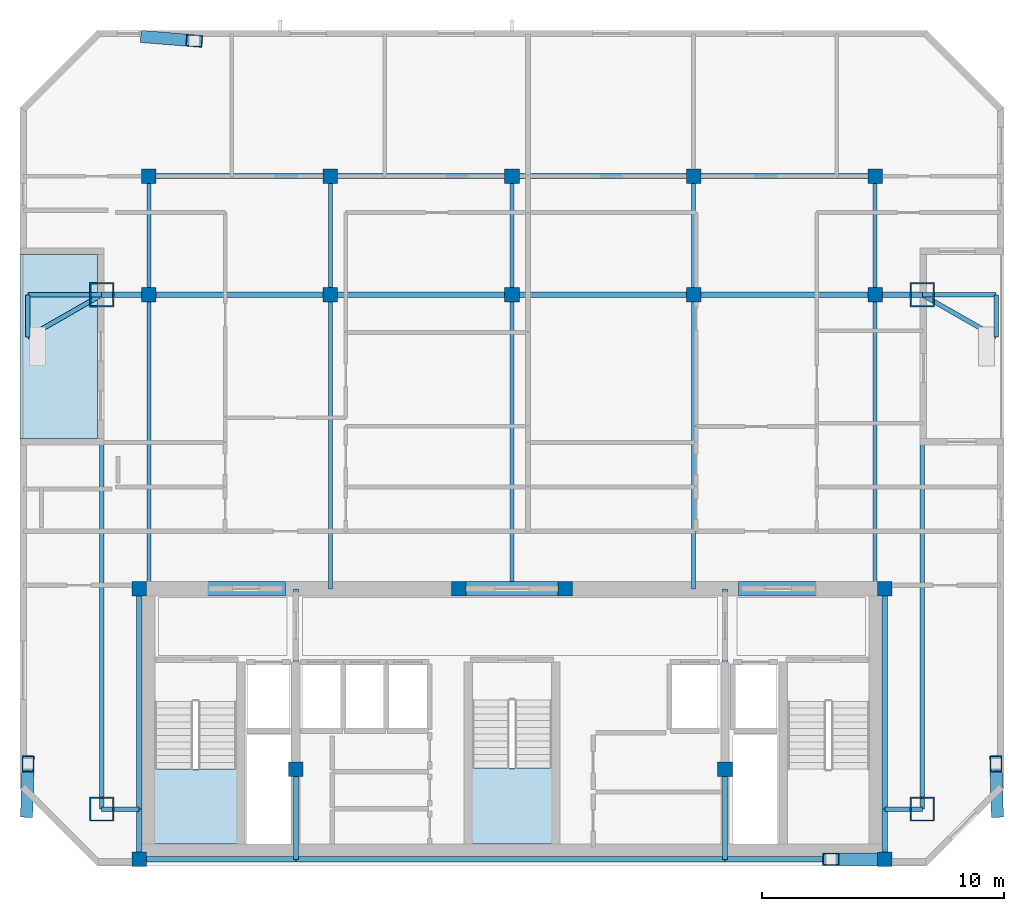
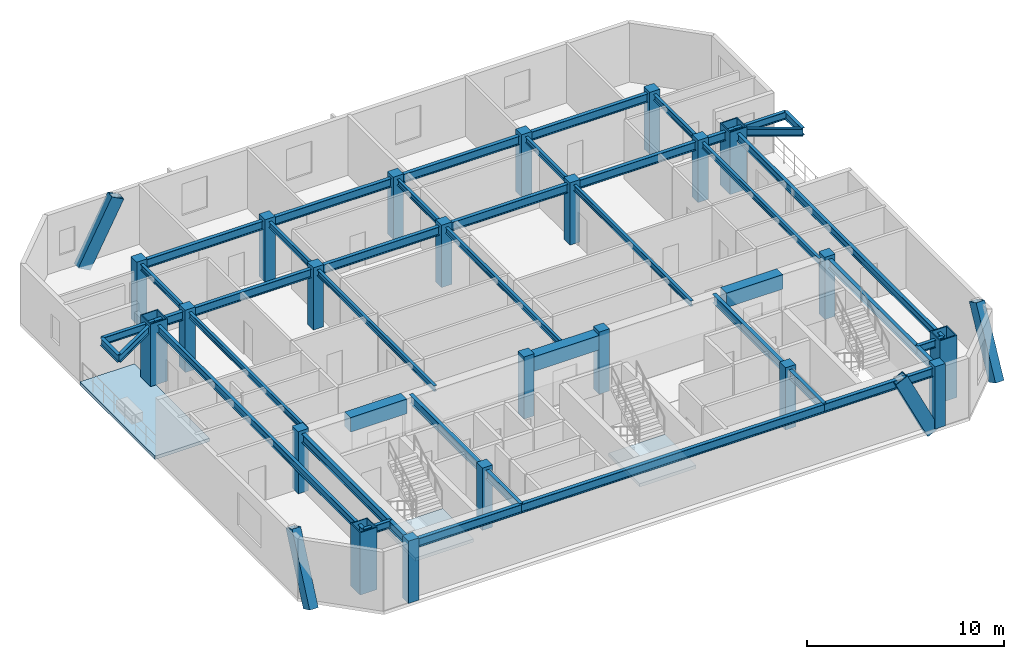
# One storey, part 1 of 8: 44 beams, 22 columns, 4 members, 3 slabs, 2 elements without a shape of their own.
"""IFC4 building model written with IfcOpenShell, lengths in metres."""

from ifc_helpers import new_model, si_unit, direction, frame, origin, origin_2d, place, context, subcontext, project, spatial, polyline, rectangle, hollow_rectangle, i_section, outline, extrude, material, layer, layer_set, material_profile, profile_set, type_object, element, aggregate, save


model = new_model("IFC4")

# Units and contexts
model_context = context("Model", 3, precision=1e-05, world=origin(), true_north=direction((0.0, 1.0)))
body_context = subcontext(model_context, "Body", "Model", "MODEL_VIEW")
ifc_project = project(units=[si_unit("LENGTHUNIT", "METRE"), si_unit("AREAUNIT", "SQUARE_METRE"), si_unit("VOLUMEUNIT", "CUBIC_METRE"), si_unit("PLANEANGLEUNIT", "RADIAN"), si_unit("MASSUNIT", "GRAM", prefix="KILO")], contexts=[model_context])

# Site, building, storey
site_placement = place(None, origin())
site = spatial("IfcSite", under=ifc_project, at=site_placement, CompositionType="ELEMENT")
building_placement = place(site_placement, origin())
building = spatial("IfcBuilding", under=site, at=building_placement, Name="Ventersveld Concourse Tower", CompositionType="ELEMENT")
storey_placement = place(building_placement, frame((0.0, 0.0, 284.89990234375)))
storey = spatial("IfcBuildingStorey", under=building, at=storey_placement, Name="L70", CompositionType="ELEMENT", Elevation=284.89990234375)

# Columns
ifc_material_1 = material(Name="Concrete C50/60", Category="concrete")
ifc_material_profile_1 = material_profile(ifc_material_1, rectangle(XDim=0.60009765625, YDim=0.60009765625, at=origin_2d()), Name="RC 600x600")
ifc_profile_set_1 = profile_set([ifc_material_profile_1], Name="Concrete C50/60")
column_type_1 = type_object("IfcColumnType", Name="COL-RC600", PredefinedType="COLUMN", material=ifc_profile_set_1)
for number, where, z_axis, x_axis, name in (
    (1, (13.35009765625, 0.280029296875, 0.0), (0.0, 0.0, 1.0), (1.0, 0.0, 0.0), "L70 Core Spine Column CC-SW"),
    (2, (44.14990234375, 0.280029296875, 0.0), (0.0, 0.0, 1.0), (1.0, 0.0, 0.0), "L70 Core Spine Column CC-SE"),
    (3, (13.35009765625, 11.449951171875, 0.0), (0.0, 0.0, 1.0), (1.0, 0.0, 0.0), "L70 Core Spine Column CC-NW"),
    (4, (44.14990234375, 11.449951171875, 0.0), (0.0, 0.0, 1.0), (1.0, 0.0, 0.0), "L70 Core Spine Column CC-NE"),
    (5, (19.820068359375, 4.0, 0.0), (0.0, 0.0, 1.0), (1.0, 0.0, 0.0), "L70 Core Spine Column CM-1"),
    (6, (37.550048828125, 4.0, 0.0), (0.0, 0.0, 1.0), (1.0, 0.0, 0.0), "L70 Core Spine Column CM-2"),
    (7, (26.550048828125, 11.449951171875, 0.0), (0.0, 0.0, 1.0), (1.0, 0.0, 0.0), "L70 Core Spine Column CM-3"),
    (8, (30.949951171875, 11.449951171875, 0.0), (0.0, 0.0, 1.0), (1.0, 0.0, 0.0), "L70 Core Spine Column CM-4"),
    (9, (13.75, 23.60009765625, 0.0), (0.0, 0.0, 1.0), (1.0, 0.0, 0.0), "L70 Interior Gravity Column X=13.75 Y=23.60"),
    (10, (21.25, 23.60009765625, 0.0), (0.0, 0.0, 1.0), (1.0, 0.0, 0.0), "L70 Interior Gravity Column X=21.25 Y=23.60"),
    (11, (28.75, 23.60009765625, 0.0), (0.0, 0.0, 1.0), (1.0, 0.0, 0.0), "L70 Interior Gravity Column X=28.75 Y=23.60"),
    (12, (36.25, 23.60009765625, 0.0), (0.0, 0.0, 1.0), (1.0, 0.0, 0.0), "L70 Interior Gravity Column X=36.25 Y=23.60"),
    (13, (43.75, 23.60009765625, 0.0), (0.0, 0.0, 1.0), (1.0, 0.0, 0.0), "L70 Interior Gravity Column X=43.75 Y=23.60"),
    (14, (13.75, 28.5, 0.0), (0.0, 0.0, 1.0), (1.0, 0.0, 0.0), "L70 Upper-North Gravity Column X=13.75 Y=28.50"),
    (15, (21.25, 28.5, 0.0), (0.0, 0.0, 1.0), (1.0, 0.0, 0.0), "L70 Upper-North Gravity Column X=21.25 Y=28.50"),
    (16, (28.75, 28.5, 0.0), (0.0, 0.0, 1.0), (1.0, 0.0, 0.0), "L70 Upper-North Gravity Column X=28.75 Y=28.50"),
    (17, (36.25, 28.5, 0.0), (0.0, 0.0, 1.0), (1.0, 0.0, 0.0), "L70 Upper-North Gravity Column X=36.25 Y=28.50"),
    (18, (43.75, 28.5, 0.0), (0.0, 0.0, 1.0), (1.0, 0.0, 0.0), "L70 Upper-North Gravity Column X=43.75 Y=28.50"),
):
    element("IfcColumn", number, at=place(storey_placement, frame(where, z_axis=z_axis, x_axis=x_axis)), inside=storey, type_object=column_type_1, Name=name, PredefinedType="COLUMN", context=body_context, shape_type="SweptSolid", body=[
        extrude(rectangle(XDim=0.60009765625, YDim=0.60009765625, at=origin_2d()), origin(), (0.0, 0.0, 1.0), 3.85009765625),
    ])
ifc_material_2 = material(Name="Structural steel S460ML", Category="steel")
ifc_material_profile_2 = material_profile(ifc_material_2, hollow_rectangle(XDim=1.0, YDim=1.0, WallThickness=0.06005859375, at=origin_2d()), Name="BOX 1000x1000x60")
ifc_profile_set_2 = profile_set([ifc_material_profile_2], Name="Structural steel S460ML")
column_type_2 = type_object("IfcColumnType", Name="MC-1000", PredefinedType="USERDEFINED", material=ifc_profile_set_2)
for number, where, z_axis, x_axis, name in (
    (19, (11.800048828125, 2.35009765625, 0.0), (0.0, 0.0, 1.0), (1.0, 0.0, 0.0), "L70 Corner Mega-Column MC-SW"),
    (20, (45.699951171875, 2.35009765625, 0.0), (0.0, 0.0, 1.0), (1.0, 0.0, 0.0), "L70 Corner Mega-Column MC-SE"),
    (21, (45.699951171875, 23.60009765625, 0.0), (0.0, 0.0, 1.0), (1.0, 0.0, 0.0), "L70 Corner Mega-Column MC-NE"),
    (22, (11.800048828125, 23.60009765625, 0.0), (0.0, 0.0, 1.0), (1.0, 0.0, 0.0), "L70 Corner Mega-Column MC-NW"),
):
    element("IfcColumn", number, at=place(storey_placement, frame(where, z_axis=z_axis, x_axis=x_axis)), inside=storey, type_object=column_type_2, Name=name, ObjectType="MEGA_COLUMN", PredefinedType="USERDEFINED", context=body_context, shape_type="SweptSolid", body=[
        extrude(hollow_rectangle(XDim=1.0, YDim=1.0, WallThickness=0.06005859375, at=origin_2d()), origin(), (0.0, 0.0, 1.0), 3.85009765625),
    ])

# Beams
ifc_material_3 = material(Name="Structural steel S355J2", Category="steel")
ifc_material_profile_3 = material_profile(ifc_material_3, i_section(OverallWidth=0.17138671875, OverallDepth=0.35498046875, WebThickness=0.00732421875, FlangeThickness=0.011474609375, FilletRadius=0.01025390625, at=origin_2d()), Name="UB 356x171x51")
ifc_profile_set_3 = profile_set([ifc_material_profile_3], Name="Structural steel S355J2")
beam_type_1 = type_object("IfcBeamType", Name="BM-UB356", PredefinedType="BEAM", material=ifc_profile_set_3)
beam_1_placement = place(storey_placement, frame((13.75, 11.449951171875, 3.47265625), z_axis=(0.0, 1.0, 0.0), x_axis=(-1.0, 0.0, 0.0)))
element("IfcBeam", 23, at=beam_1_placement, inside=storey, type_object=beam_type_1, Name="L70 N-S Composite Floor Beam South X=13.75", PredefinedType="BEAM", context=body_context, shape_type="SweptSolid", body=[
    extrude(i_section(OverallWidth=0.17138671875, OverallDepth=0.35498046875, WebThickness=0.00732421875, FlangeThickness=0.011474609375, FilletRadius=0.01025390625, at=origin_2d()), origin(), (0.0, 0.0, 1.0), 12.150146484375),
])
beam_2_placement = place(storey_placement, frame((13.75, 23.60009765625, 3.47265625), z_axis=(0.0, 1.0, 0.0), x_axis=(-1.0, 0.0, 0.0)))
element("IfcBeam", 24, at=beam_2_placement, inside=storey, type_object=beam_type_1, Name="L70 N-S Upper-Zone Floor Beam X=13.75", PredefinedType="BEAM", context=body_context, shape_type="SweptSolid", body=[
    extrude(i_section(OverallWidth=0.17138671875, OverallDepth=0.35498046875, WebThickness=0.00732421875, FlangeThickness=0.011474609375, FilletRadius=0.01025390625, at=origin_2d()), origin(), (0.0, 0.0, 1.0), 4.89990234375),
])
beam_3_placement = place(storey_placement, frame((21.25, 11.449951171875, 3.47265625), z_axis=(0.0, 1.0, 0.0), x_axis=(-1.0, 0.0, 0.0)))
element("IfcBeam", 25, at=beam_3_placement, inside=storey, type_object=beam_type_1, Name="L70 N-S Composite Floor Beam South X=21.25", PredefinedType="BEAM", context=body_context, shape_type="SweptSolid", body=[
    extrude(i_section(OverallWidth=0.17138671875, OverallDepth=0.35498046875, WebThickness=0.00732421875, FlangeThickness=0.011474609375, FilletRadius=0.01025390625, at=origin_2d()), origin(), (0.0, 0.0, 1.0), 12.150146484375),
])
beam_4_placement = place(storey_placement, frame((21.25, 23.60009765625, 3.47265625), z_axis=(0.0, 1.0, 0.0), x_axis=(-1.0, 0.0, 0.0)))
element("IfcBeam", 26, at=beam_4_placement, inside=storey, type_object=beam_type_1, Name="L70 N-S Upper-Zone Floor Beam X=21.25", PredefinedType="BEAM", context=body_context, shape_type="SweptSolid", body=[
    extrude(i_section(OverallWidth=0.17138671875, OverallDepth=0.35498046875, WebThickness=0.00732421875, FlangeThickness=0.011474609375, FilletRadius=0.01025390625, at=origin_2d()), origin(), (0.0, 0.0, 1.0), 4.89990234375),
])
beam_5_placement = place(storey_placement, frame((28.75, 11.449951171875, 3.47265625), z_axis=(0.0, 1.0, 0.0), x_axis=(-1.0, 0.0, 0.0)))
element("IfcBeam", 27, at=beam_5_placement, inside=storey, type_object=beam_type_1, Name="L70 N-S Composite Floor Beam South X=28.75", PredefinedType="BEAM", context=body_context, shape_type="SweptSolid", body=[
    extrude(i_section(OverallWidth=0.17138671875, OverallDepth=0.35498046875, WebThickness=0.00732421875, FlangeThickness=0.011474609375, FilletRadius=0.01025390625, at=origin_2d()), origin(), (0.0, 0.0, 1.0), 12.150146484375),
])
beam_6_placement = place(storey_placement, frame((28.75, 23.60009765625, 3.47265625), z_axis=(0.0, 1.0, 0.0), x_axis=(-1.0, 0.0, 0.0)))
element("IfcBeam", 28, at=beam_6_placement, inside=storey, type_object=beam_type_1, Name="L70 N-S Upper-Zone Floor Beam X=28.75", PredefinedType="BEAM", context=body_context, shape_type="SweptSolid", body=[
    extrude(i_section(OverallWidth=0.17138671875, OverallDepth=0.35498046875, WebThickness=0.00732421875, FlangeThickness=0.011474609375, FilletRadius=0.01025390625, at=origin_2d()), origin(), (0.0, 0.0, 1.0), 4.89990234375),
])
beam_7_placement = place(storey_placement, frame((36.25, 11.449951171875, 3.47265625), z_axis=(0.0, 1.0, 0.0), x_axis=(-1.0, 0.0, 0.0)))
element("IfcBeam", 29, at=beam_7_placement, inside=storey, type_object=beam_type_1, Name="L70 N-S Composite Floor Beam South X=36.25", PredefinedType="BEAM", context=body_context, shape_type="SweptSolid", body=[
    extrude(i_section(OverallWidth=0.17138671875, OverallDepth=0.35498046875, WebThickness=0.00732421875, FlangeThickness=0.011474609375, FilletRadius=0.01025390625, at=origin_2d()), origin(), (0.0, 0.0, 1.0), 12.150146484375),
])
beam_8_placement = place(storey_placement, frame((36.25, 23.60009765625, 3.47265625), z_axis=(0.0, 1.0, 0.0), x_axis=(-1.0, 0.0, 0.0)))
element("IfcBeam", 30, at=beam_8_placement, inside=storey, type_object=beam_type_1, Name="L70 N-S Upper-Zone Floor Beam X=36.25", PredefinedType="BEAM", context=body_context, shape_type="SweptSolid", body=[
    extrude(i_section(OverallWidth=0.17138671875, OverallDepth=0.35498046875, WebThickness=0.00732421875, FlangeThickness=0.011474609375, FilletRadius=0.01025390625, at=origin_2d()), origin(), (0.0, 0.0, 1.0), 4.89990234375),
])
beam_9_placement = place(storey_placement, frame((43.75, 11.449951171875, 3.47265625), z_axis=(0.0, 1.0, 0.0), x_axis=(-1.0, 0.0, 0.0)))
element("IfcBeam", 31, at=beam_9_placement, inside=storey, type_object=beam_type_1, Name="L70 N-S Composite Floor Beam South X=43.75", PredefinedType="BEAM", context=body_context, shape_type="SweptSolid", body=[
    extrude(i_section(OverallWidth=0.17138671875, OverallDepth=0.35498046875, WebThickness=0.00732421875, FlangeThickness=0.011474609375, FilletRadius=0.01025390625, at=origin_2d()), origin(), (0.0, 0.0, 1.0), 12.150146484375),
])
beam_10_placement = place(storey_placement, frame((43.75, 23.60009765625, 3.47265625), z_axis=(0.0, 1.0, 0.0), x_axis=(-1.0, 0.0, 0.0)))
element("IfcBeam", 32, at=beam_10_placement, inside=storey, type_object=beam_type_1, Name="L70 N-S Upper-Zone Floor Beam X=43.75", PredefinedType="BEAM", context=body_context, shape_type="SweptSolid", body=[
    extrude(i_section(OverallWidth=0.17138671875, OverallDepth=0.35498046875, WebThickness=0.00732421875, FlangeThickness=0.011474609375, FilletRadius=0.01025390625, at=origin_2d()), origin(), (0.0, 0.0, 1.0), 4.89990234375),
])
ifc_material_profile_4 = material_profile(ifc_material_1, rectangle(XDim=0.60009765625, YDim=0.89990234375, at=origin_2d()), Name="RC 600x900")
ifc_profile_set_4 = profile_set([ifc_material_profile_4], Name="Concrete C50/60")
beam_type_2 = type_object("IfcBeamType", Name="CB-RC600x900U", PredefinedType="LINTEL", material=ifc_profile_set_4)
beam_11_placement = place(storey_placement, frame((16.10009765625, 11.449951171875, 3.2001953125), z_axis=(1.0, 0.0, 0.0), x_axis=(0.0, 1.0, 0.0)))
element("IfcBeam", 33, at=beam_11_placement, inside=storey, type_object=beam_type_2, Name="L70 Core Coupling Lintel Beam 1", PredefinedType="LINTEL", context=body_context, shape_type="SweptSolid", body=[
    extrude(rectangle(XDim=0.60009765625, YDim=0.89990234375, at=origin_2d()), origin(), (0.0, 0.0, 1.0), 3.2998046875),
])
beam_12_placement = place(storey_placement, frame((26.5, 11.449951171875, 3.2001953125), z_axis=(1.0, 0.0, 0.0), x_axis=(0.0, 1.0, 0.0)))
element("IfcBeam", 34, at=beam_12_placement, inside=storey, type_object=beam_type_2, Name="L70 Core Coupling Lintel Beam 2", PredefinedType="LINTEL", context=body_context, shape_type="SweptSolid", body=[
    extrude(rectangle(XDim=0.60009765625, YDim=0.89990234375, at=origin_2d()), origin(), (0.0, 0.0, 1.0), 4.5),
])
beam_13_placement = place(storey_placement, frame((38.10009765625, 11.449951171875, 3.2001953125), z_axis=(1.0, 0.0, 0.0), x_axis=(0.0, 1.0, 0.0)))
element("IfcBeam", 35, at=beam_13_placement, inside=storey, type_object=beam_type_2, Name="L70 Core Coupling Lintel Beam 3", PredefinedType="LINTEL", context=body_context, shape_type="SweptSolid", body=[
    extrude(rectangle(XDim=0.60009765625, YDim=0.89990234375, at=origin_2d()), origin(), (0.0, 0.0, 1.0), 3.2998046875),
])
ifc_material_profile_5 = material_profile(ifc_material_3, i_section(OverallWidth=0.209228515625, OverallDepth=0.533203125, WebThickness=0.010009765625, FlangeThickness=0.015625, FilletRadius=0.0126953125, at=origin_2d()), Name="UB 533x210x92")
ifc_profile_set_5 = profile_set([ifc_material_profile_5], Name="Structural steel S355J2")
beam_type_3 = type_object("IfcBeamType", Name="GRD-UB533", PredefinedType="T_BEAM", material=ifc_profile_set_5)
beam_14_placement = place(storey_placement, frame((11.800048828125, 23.60009765625, 3.383544921875), z_axis=(1.0, 0.0, 0.0), x_axis=(0.0, 1.0, 0.0)))
element("IfcBeam", 36, at=beam_14_placement, inside=storey, type_object=beam_type_3, Name="L70 Primary E-W Grid Girder Y=23.60 #1", PredefinedType="T_BEAM", context=body_context, shape_type="SweptSolid", body=[
    extrude(i_section(OverallWidth=0.209228515625, OverallDepth=0.533203125, WebThickness=0.010009765625, FlangeThickness=0.015625, FilletRadius=0.0126953125, at=origin_2d()), origin(), (0.0, 0.0, 1.0), 1.949951171875),
])
for number, where, z_axis, x_axis, name in (
    (37, (13.75, 23.60009765625, 3.383544921875), (1.0, 0.0, 0.0), (0.0, 1.0, 0.0), "L70 Primary E-W Grid Girder Y=23.60 #2"),
    (38, (21.25, 23.60009765625, 3.383544921875), (1.0, 0.0, 0.0), (0.0, 1.0, 0.0), "L70 Primary E-W Grid Girder Y=23.60 #3"),
    (39, (28.75, 23.60009765625, 3.383544921875), (1.0, 0.0, 0.0), (0.0, 1.0, 0.0), "L70 Primary E-W Grid Girder Y=23.60 #4"),
    (40, (36.25, 23.60009765625, 3.383544921875), (1.0, 0.0, 0.0), (0.0, 1.0, 0.0), "L70 Primary E-W Grid Girder Y=23.60 #5"),
):
    element("IfcBeam", number, at=place(storey_placement, frame(where, z_axis=z_axis, x_axis=x_axis)), inside=storey, type_object=beam_type_3, Name=name, PredefinedType="T_BEAM", context=body_context, shape_type="SweptSolid", body=[
        extrude(i_section(OverallWidth=0.209228515625, OverallDepth=0.533203125, WebThickness=0.010009765625, FlangeThickness=0.015625, FilletRadius=0.0126953125, at=origin_2d()), origin(), (0.0, 0.0, 1.0), 7.5),
    ])
beam_15_placement = place(storey_placement, frame((43.75, 23.60009765625, 3.383544921875), z_axis=(1.0, 0.0, 0.0), x_axis=(0.0, 1.0, 0.0)))
element("IfcBeam", 41, at=beam_15_placement, inside=storey, type_object=beam_type_3, Name="L70 Primary E-W Grid Girder Y=23.60 #6", PredefinedType="T_BEAM", context=body_context, shape_type="SweptSolid", body=[
    extrude(i_section(OverallWidth=0.209228515625, OverallDepth=0.533203125, WebThickness=0.010009765625, FlangeThickness=0.015625, FilletRadius=0.0126953125, at=origin_2d()), origin(), (0.0, 0.0, 1.0), 1.949951171875),
])
for number, where, z_axis, x_axis, name in (
    (42, (13.75, 28.5, 3.383544921875), (1.0, 0.0, 0.0), (0.0, 1.0, 0.0), "L70 Upper-North E-W Girder Y=28.50 #1"),
    (43, (21.25, 28.5, 3.383544921875), (1.0, 0.0, 0.0), (0.0, 1.0, 0.0), "L70 Upper-North E-W Girder Y=28.50 #2"),
    (44, (28.75, 28.5, 3.383544921875), (1.0, 0.0, 0.0), (0.0, 1.0, 0.0), "L70 Upper-North E-W Girder Y=28.50 #3"),
    (45, (36.25, 28.5, 3.383544921875), (1.0, 0.0, 0.0), (0.0, 1.0, 0.0), "L70 Upper-North E-W Girder Y=28.50 #4"),
):
    element("IfcBeam", number, at=place(storey_placement, frame(where, z_axis=z_axis, x_axis=x_axis)), inside=storey, type_object=beam_type_3, Name=name, PredefinedType="T_BEAM", context=body_context, shape_type="SweptSolid", body=[
        extrude(i_section(OverallWidth=0.209228515625, OverallDepth=0.533203125, WebThickness=0.010009765625, FlangeThickness=0.015625, FilletRadius=0.0126953125, at=origin_2d()), origin(), (0.0, 0.0, 1.0), 7.5),
    ])
ifc_material_profile_6 = material_profile(ifc_material_3, i_section(OverallWidth=0.2119140625, OverallDepth=0.54443359375, WebThickness=0.0126953125, FlangeThickness=0.021240234375, FilletRadius=0.0126953125, at=origin_2d()), Name="UB 533x210x122")
ifc_profile_set_6 = profile_set([ifc_material_profile_6], Name="Structural steel S355J2")
beam_type_4 = type_object("IfcBeamType", Name="GRD-UB533H", PredefinedType="T_BEAM", material=ifc_profile_set_6)
beam_16_placement = place(storey_placement, frame((13.35009765625, 0.280029296875, 3.3779296875), z_axis=(0.0, 1.0, 0.0), x_axis=(-1.0, 0.0, 0.0)))
element("IfcBeam", 46, at=beam_16_placement, inside=storey, type_object=beam_type_4, Name="L70 Core West Tie Beam S", PredefinedType="T_BEAM", context=body_context, shape_type="SweptSolid", body=[
    extrude(i_section(OverallWidth=0.2119140625, OverallDepth=0.54443359375, WebThickness=0.0126953125, FlangeThickness=0.021240234375, FilletRadius=0.0126953125, at=origin_2d()), origin(), (0.0, 0.0, 1.0), 2.070068359375),
])
beam_17_placement = place(storey_placement, frame((13.35009765625, 2.35009765625, 3.3779296875), z_axis=(0.0, 1.0, 0.0), x_axis=(-1.0, 0.0, 0.0)))
element("IfcBeam", 47, at=beam_17_placement, inside=storey, type_object=beam_type_4, Name="L70 Core West Tie Beam N", PredefinedType="T_BEAM", context=body_context, shape_type="SweptSolid", body=[
    extrude(i_section(OverallWidth=0.2119140625, OverallDepth=0.54443359375, WebThickness=0.0126953125, FlangeThickness=0.021240234375, FilletRadius=0.0126953125, at=origin_2d()), origin(), (0.0, 0.0, 1.0), 9.099853515625),
])
beam_18_placement = place(storey_placement, frame((44.14990234375, 0.280029296875, 3.3779296875), z_axis=(0.0, 1.0, 0.0), x_axis=(-1.0, 0.0, 0.0)))
element("IfcBeam", 48, at=beam_18_placement, inside=storey, type_object=beam_type_4, Name="L70 Core East Tie Beam S", PredefinedType="T_BEAM", context=body_context, shape_type="SweptSolid", body=[
    extrude(i_section(OverallWidth=0.2119140625, OverallDepth=0.54443359375, WebThickness=0.0126953125, FlangeThickness=0.021240234375, FilletRadius=0.0126953125, at=origin_2d()), origin(), (0.0, 0.0, 1.0), 2.070068359375),
])
beam_19_placement = place(storey_placement, frame((44.14990234375, 2.35009765625, 3.3779296875), z_axis=(0.0, 1.0, 0.0), x_axis=(-1.0, 0.0, 0.0)))
element("IfcBeam", 49, at=beam_19_placement, inside=storey, type_object=beam_type_4, Name="L70 Core East Tie Beam N", PredefinedType="T_BEAM", context=body_context, shape_type="SweptSolid", body=[
    extrude(i_section(OverallWidth=0.2119140625, OverallDepth=0.54443359375, WebThickness=0.0126953125, FlangeThickness=0.021240234375, FilletRadius=0.0126953125, at=origin_2d()), origin(), (0.0, 0.0, 1.0), 9.099853515625),
])
beam_20_placement = place(storey_placement, frame((13.35009765625, 0.280029296875, 3.3779296875), z_axis=(1.0, 0.0, 0.0), x_axis=(0.0, 1.0, 0.0)))
element("IfcBeam", 50, at=beam_20_placement, inside=storey, type_object=beam_type_4, Name="L70 Core South Tie Beam W", PredefinedType="T_BEAM", context=body_context, shape_type="SweptSolid", body=[
    extrude(i_section(OverallWidth=0.2119140625, OverallDepth=0.54443359375, WebThickness=0.0126953125, FlangeThickness=0.021240234375, FilletRadius=0.0126953125, at=origin_2d()), origin(), (0.0, 0.0, 1.0), 6.469970703125),
])
beam_21_placement = place(storey_placement, frame((19.820068359375, 0.280029296875, 3.3779296875), z_axis=(1.0, 0.0, 0.0), x_axis=(0.0, 1.0, 0.0)))
element("IfcBeam", 51, at=beam_21_placement, inside=storey, type_object=beam_type_4, Name="L70 Core South Tie Beam C", PredefinedType="T_BEAM", context=body_context, shape_type="SweptSolid", body=[
    extrude(i_section(OverallWidth=0.2119140625, OverallDepth=0.54443359375, WebThickness=0.0126953125, FlangeThickness=0.021240234375, FilletRadius=0.0126953125, at=origin_2d()), origin(), (0.0, 0.0, 1.0), 17.72998046875),
])
beam_22_placement = place(storey_placement, frame((37.550048828125, 0.280029296875, 3.3779296875), z_axis=(1.0, 0.0, 0.0), x_axis=(0.0, 1.0, 0.0)))
element("IfcBeam", 52, at=beam_22_placement, inside=storey, type_object=beam_type_4, Name="L70 Core South Tie Beam E", PredefinedType="T_BEAM", context=body_context, shape_type="SweptSolid", body=[
    extrude(i_section(OverallWidth=0.2119140625, OverallDepth=0.54443359375, WebThickness=0.0126953125, FlangeThickness=0.021240234375, FilletRadius=0.0126953125, at=origin_2d()), origin(), (0.0, 0.0, 1.0), 6.599853515625),
])
beam_23_placement = place(storey_placement, frame((19.820068359375, 0.280029296875, 3.3779296875), z_axis=(0.0, 1.0, 0.0), x_axis=(-1.0, 0.0, 0.0)))
element("IfcBeam", 53, at=beam_23_placement, inside=storey, type_object=beam_type_4, Name="L70 Core Spine N-S Tie Beam W1", PredefinedType="T_BEAM", context=body_context, shape_type="SweptSolid", body=[
    extrude(i_section(OverallWidth=0.2119140625, OverallDepth=0.54443359375, WebThickness=0.0126953125, FlangeThickness=0.021240234375, FilletRadius=0.0126953125, at=origin_2d()), origin(), (0.0, 0.0, 1.0), 3.719970703125),
])
beam_24_placement = place(storey_placement, frame((19.820068359375, 4.0, 3.3779296875), z_axis=(0.0, 1.0, 0.0), x_axis=(-1.0, 0.0, 0.0)))
element("IfcBeam", 54, at=beam_24_placement, inside=storey, type_object=beam_type_4, Name="L70 Core Spine N-S Tie Beam W2", PredefinedType="T_BEAM", context=body_context, shape_type="SweptSolid", body=[
    extrude(i_section(OverallWidth=0.2119140625, OverallDepth=0.54443359375, WebThickness=0.0126953125, FlangeThickness=0.021240234375, FilletRadius=0.0126953125, at=origin_2d()), origin(), (0.0, 0.0, 1.0), 7.449951171875),
])
beam_25_placement = place(storey_placement, frame((37.550048828125, 0.280029296875, 3.3779296875), z_axis=(0.0, 1.0, 0.0), x_axis=(-1.0, 0.0, 0.0)))
element("IfcBeam", 55, at=beam_25_placement, inside=storey, type_object=beam_type_4, Name="L70 Core Spine N-S Tie Beam E1", PredefinedType="T_BEAM", context=body_context, shape_type="SweptSolid", body=[
    extrude(i_section(OverallWidth=0.2119140625, OverallDepth=0.54443359375, WebThickness=0.0126953125, FlangeThickness=0.021240234375, FilletRadius=0.0126953125, at=origin_2d()), origin(), (0.0, 0.0, 1.0), 3.719970703125),
])
beam_26_placement = place(storey_placement, frame((37.550048828125, 4.0, 3.3779296875), z_axis=(0.0, 1.0, 0.0), x_axis=(-1.0, 0.0, 0.0)))
element("IfcBeam", 56, at=beam_26_placement, inside=storey, type_object=beam_type_4, Name="L70 Core Spine N-S Tie Beam E2", PredefinedType="T_BEAM", context=body_context, shape_type="SweptSolid", body=[
    extrude(i_section(OverallWidth=0.2119140625, OverallDepth=0.54443359375, WebThickness=0.0126953125, FlangeThickness=0.021240234375, FilletRadius=0.0126953125, at=origin_2d()), origin(), (0.0, 0.0, 1.0), 7.449951171875),
])

# Members
ifc_material_4 = material(Name="Structural steel S355ML", Category="steel")
ifc_material_profile_7 = material_profile(ifc_material_4, hollow_rectangle(XDim=0.5, YDim=0.75, WallThickness=0.034912109375, at=origin_2d()), Name="BOX 750x500x35")
ifc_profile_set_7 = profile_set([ifc_material_profile_7], Name="Structural steel S355ML")
member_type = type_object("IfcMemberType", Name="MB-750x500", PredefinedType="BRACE", material=ifc_profile_set_7)
member_1_placement = place(storey_placement, frame((13.75, 34.246826171875, -0.199951171875), z_axis=(0.43755643598, -0.035950274883, 0.89847200461), x_axis=(0.08188553882, 0.996641740312, 0.0)))
element("IfcMember", 57, at=member_1_placement, inside=storey, type_object=member_type, Name="L70 Exterior Mega-Brace N (Module M17)", PredefinedType="BRACE", context=body_context, shape_type="SweptSolid", body=[
    extrude(hollow_rectangle(XDim=0.5, YDim=0.75, WallThickness=0.034912109375, at=origin_2d()), origin(), (0.0, 0.0, 1.0), 4.28515625),
])
member_2_placement = place(storey_placement, frame((43.800048828125, 0.280029296875, -0.199951171875), z_axis=(-0.437839464193, 0.0, 0.899053170616), x_axis=(0.0, -1.0, 0.0)))
element("IfcMember", 58, at=member_2_placement, inside=storey, type_object=member_type, Name="L70 Exterior Mega-Brace S (Module M17)", PredefinedType="BRACE", context=body_context, shape_type="SweptSolid", body=[
    extrude(hollow_rectangle(XDim=0.5, YDim=0.75, WallThickness=0.034912109375, at=origin_2d()), origin(), (0.0, 0.0, 1.0), 4.282470703125),
])
for number, where, z_axis, x_axis, name in (
    (59, (8.7041015625, 2.35009765625, -0.199951171875), (0.012484292972, 0.437805342566, 0.898983105764), (-0.999593677347, 0.028504038456, 0.0), "L70 Exterior Mega-Brace W (Module M17)"),
    (60, (48.7958984375, 2.35009765625, -0.199951171875), (-0.012484292972, 0.437805342566, 0.898983105764), (-0.999593677347, -0.028504038456, 0.0), "L70 Exterior Mega-Brace E (Module M17)"),
):
    element("IfcMember", number, at=place(storey_placement, frame(where, z_axis=z_axis, x_axis=x_axis)), inside=storey, type_object=member_type, Name=name, PredefinedType="BRACE", context=body_context, shape_type="SweptSolid", body=[
        extrude(hollow_rectangle(XDim=0.5, YDim=0.75, WallThickness=0.034912109375, at=origin_2d()), origin(), (0.0, 0.0, 1.0), 4.28271484375),
    ])

# Beams
ifc_material_profile_8 = material_profile(ifc_material_3, i_section(OverallWidth=0.19140625, OverallDepth=0.4599609375, WebThickness=0.010009765625, FlangeThickness=0.01611328125, FilletRadius=0.01025390625, at=origin_2d()), Name="UB 457x191x82")
ifc_profile_set_8 = profile_set([ifc_material_profile_8], Name="Structural steel S355J2")
beam_type_5 = type_object("IfcBeamType", Name="SPD-UB457", PredefinedType="SPANDREL", material=ifc_profile_set_8)
for number, where, z_axis, x_axis, name in (
    (61, (11.800048828125, 2.35009765625, 3.420166015625), (1.0, 0.0, 0.0), (0.0, 1.0, 0.0), "L70 SW Spandrel Beam"),
    (62, (44.14990234375, 2.35009765625, 3.420166015625), (1.0, 0.0, 0.0), (0.0, 1.0, 0.0), "L70 SE Spandrel Beam"),
):
    element("IfcBeam", number, at=place(storey_placement, frame(where, z_axis=z_axis, x_axis=x_axis)), inside=storey, type_object=beam_type_5, Name=name, PredefinedType="SPANDREL", context=body_context, shape_type="SweptSolid", body=[
        extrude(i_section(OverallWidth=0.19140625, OverallDepth=0.4599609375, WebThickness=0.010009765625, FlangeThickness=0.01611328125, FilletRadius=0.01025390625, at=origin_2d()), origin(), (0.0, 0.0, 1.0), 1.550048828125),
    ])
for number, where, z_axis, x_axis, name in (
    (63, (11.800048828125, 2.35009765625, 3.420166015625), (0.0, 1.0, 0.0), (-1.0, 0.0, 0.0), "L70 West Spandrel Beam"),
    (64, (45.699951171875, 2.35009765625, 3.420166015625), (0.0, 1.0, 0.0), (-1.0, 0.0, 0.0), "L70 East Spandrel Beam"),
):
    element("IfcBeam", number, at=place(storey_placement, frame(where, z_axis=z_axis, x_axis=x_axis)), inside=storey, type_object=beam_type_5, Name=name, PredefinedType="SPANDREL", context=body_context, shape_type="SweptSolid", body=[
        extrude(i_section(OverallWidth=0.19140625, OverallDepth=0.4599609375, WebThickness=0.010009765625, FlangeThickness=0.01611328125, FilletRadius=0.01025390625, at=origin_2d()), origin(), (0.0, 0.0, 1.0), 21.25),
    ])
beam_27_placement = place(storey_placement, frame((8.745361328125, 23.60009765625, 3.420166015625), z_axis=(1.0, 0.0, 0.0), x_axis=(0.0, 1.0, 0.0)))
element("IfcBeam", 65, at=beam_27_placement, inside=storey, type_object=beam_type_5, Name="L70 West Valley Bracket S", PredefinedType="SPANDREL", context=body_context, shape_type="SweptSolid", body=[
    extrude(i_section(OverallWidth=0.19140625, OverallDepth=0.4599609375, WebThickness=0.010009765625, FlangeThickness=0.01611328125, FilletRadius=0.01025390625, at=origin_2d()), origin(), (0.0, 0.0, 1.0), 3.0546875),
])
beam_28_placement = place(storey_placement, frame((8.745361328125, 21.85009765625, 3.420166015625), z_axis=(0.867696358075, 0.497094588769, 0.0), x_axis=(-0.497094588769, 0.867696358075, 0.0)))
element("IfcBeam", 66, at=beam_28_placement, inside=storey, type_object=beam_type_5, Name="L70 West Valley Diagonal Bracket", PredefinedType="SPANDREL", context=body_context, shape_type="SweptSolid", body=[
    extrude(i_section(OverallWidth=0.19140625, OverallDepth=0.4599609375, WebThickness=0.010009765625, FlangeThickness=0.01611328125, FilletRadius=0.01025390625, at=origin_2d()), origin(), (0.0, 0.0, 1.0), 3.5205078125),
])
beam_29_placement = place(storey_placement, frame((8.745361328125, 21.85009765625, 3.420166015625), z_axis=(0.0, 1.0, 0.0), x_axis=(-1.0, 0.0, 0.0)))
element("IfcBeam", 67, at=beam_29_placement, inside=storey, type_object=beam_type_5, Name="L70 West Valley Edge Beam", PredefinedType="SPANDREL", context=body_context, shape_type="SweptSolid", body=[
    extrude(i_section(OverallWidth=0.19140625, OverallDepth=0.4599609375, WebThickness=0.010009765625, FlangeThickness=0.01611328125, FilletRadius=0.01025390625, at=origin_2d()), origin(), (0.0, 0.0, 1.0), 1.75),
])
beam_30_placement = place(storey_placement, frame((45.699951171875, 23.60009765625, 3.420166015625), z_axis=(1.0, 0.0, 0.0), x_axis=(0.0, 1.0, 0.0)))
element("IfcBeam", 68, at=beam_30_placement, inside=storey, type_object=beam_type_5, Name="L70 East Valley Bracket S", PredefinedType="SPANDREL", context=body_context, shape_type="SweptSolid", body=[
    extrude(i_section(OverallWidth=0.19140625, OverallDepth=0.4599609375, WebThickness=0.010009765625, FlangeThickness=0.01611328125, FilletRadius=0.01025390625, at=origin_2d()), origin(), (0.0, 0.0, 1.0), 3.0546875),
])
beam_31_placement = place(storey_placement, frame((45.699951171875, 23.60009765625, 3.420166015625), z_axis=(0.867696358075, -0.497094588769, 0.0), x_axis=(0.497094588769, 0.867696358075, 0.0)))
element("IfcBeam", 69, at=beam_31_placement, inside=storey, type_object=beam_type_5, Name="L70 East Valley Diagonal Bracket", PredefinedType="SPANDREL", context=body_context, shape_type="SweptSolid", body=[
    extrude(i_section(OverallWidth=0.19140625, OverallDepth=0.4599609375, WebThickness=0.010009765625, FlangeThickness=0.01611328125, FilletRadius=0.01025390625, at=origin_2d()), origin(), (0.0, 0.0, 1.0), 3.5205078125),
])
beam_32_placement = place(storey_placement, frame((48.754638671875, 21.85009765625, 3.420166015625), z_axis=(0.0, 1.0, 0.0), x_axis=(-1.0, 0.0, 0.0)))
element("IfcBeam", 70, at=beam_32_placement, inside=storey, type_object=beam_type_5, Name="L70 East Valley Edge Beam", PredefinedType="SPANDREL", context=body_context, shape_type="SweptSolid", body=[
    extrude(i_section(OverallWidth=0.19140625, OverallDepth=0.4599609375, WebThickness=0.010009765625, FlangeThickness=0.01611328125, FilletRadius=0.01025390625, at=origin_2d()), origin(), (0.0, 0.0, 1.0), 1.75),
])

# Slab
ifc_layer_1 = layer(ifc_material_1, 0.199951171875)
ifc_layer_set_1 = layer_set([ifc_layer_1], Name="Concrete C50/60")
slab_type_1 = type_object("IfcSlabType", Name="SL-FLR-200", PredefinedType="FLOOR", material=ifc_layer_set_1)
slab_1_placement = place(storey_placement, frame((0.0, 0.0, -0.199951171875)))
element("IfcSlab", 71, at=slab_1_placement, inside=storey, type_object=slab_type_1, Name="L70 Outdoor Terrace Slab NOTCH-W", PredefinedType="FLOOR", context=body_context, shape_type="SweptSolid", body=[
    extrude(outline(polyline([(8.42431640625, 17.663330078125), (11.624267578125, 17.663330078125), (11.624267578125, 25.263427734375), (8.42431640625, 25.263427734375), (8.42431640625, 17.663330078125)])), origin(), (0.0, 0.0, 1.0), 0.199951171875),
])

# Stair, slab
stair_type_1 = type_object("IfcStairType", Name="ST-DOG-160", PredefinedType="HALF_TURN_STAIR", material=ifc_material_1)
stair_1_placement = place(storey_placement, origin())
stair_1 = element("IfcStair", 72, at=stair_1_placement, inside=storey, type_object=stair_type_1, Name="L70 Protected Tower Escape Stair ST-01", PredefinedType="HALF_TURN_STAIR")
ifc_layer_2 = layer(ifc_material_1, 0.199951171875)
ifc_layer_set_2 = layer_set([ifc_layer_2], Name="Concrete C50/60")
slab_type_2 = type_object("IfcSlabType", Name="SL-LND-200", PredefinedType="LANDING", material=ifc_layer_set_2)
slab_2_placement = place(storey_placement, frame((0.0, 0.0, 1.72509765625)))
slab_2 = element("IfcSlab", 73, at=slab_2_placement, type_object=slab_type_2, Name="ST-01 landing 1", PredefinedType="LANDING", context=body_context, shape_type="SweptSolid", body=[
    extrude(outline(polyline([(13.97998046875, 4.0), (13.97998046875, 0.89990234375), (17.3798828125, 0.89990234375), (17.3798828125, 4.0), (13.97998046875, 4.0)])), origin(), (0.0, 0.0, 1.0), 0.199951171875),
])
aggregate(stair_1, [slab_2])

stair_type_2 = type_object("IfcStairType", Name="ST-DOG-155", PredefinedType="HALF_TURN_STAIR", material=ifc_material_1)
stair_2_placement = place(storey_placement, origin())
stair_2 = element("IfcStair", 74, at=stair_2_placement, inside=storey, type_object=stair_type_2, Name="L70 Protected Central Core Escape Stair ST-03", PredefinedType="HALF_TURN_STAIR")
slab_3_placement = place(storey_placement, frame((0.0, 0.0, 1.72509765625)))
slab_3 = element("IfcSlab", 75, at=slab_3_placement, type_object=slab_type_2, Name="ST-03 landing 1", PredefinedType="LANDING", context=body_context, shape_type="SweptSolid", body=[
    extrude(outline(polyline([(27.10009765625, 4.050048828125), (27.10009765625, 0.89990234375), (30.39990234375, 0.89990234375), (30.39990234375, 4.050048828125), (27.10009765625, 4.050048828125)])), origin(), (0.0, 0.0, 1.0), 0.199951171875),
])
aggregate(stair_2, [slab_3])

save(model, "model.ifc")
